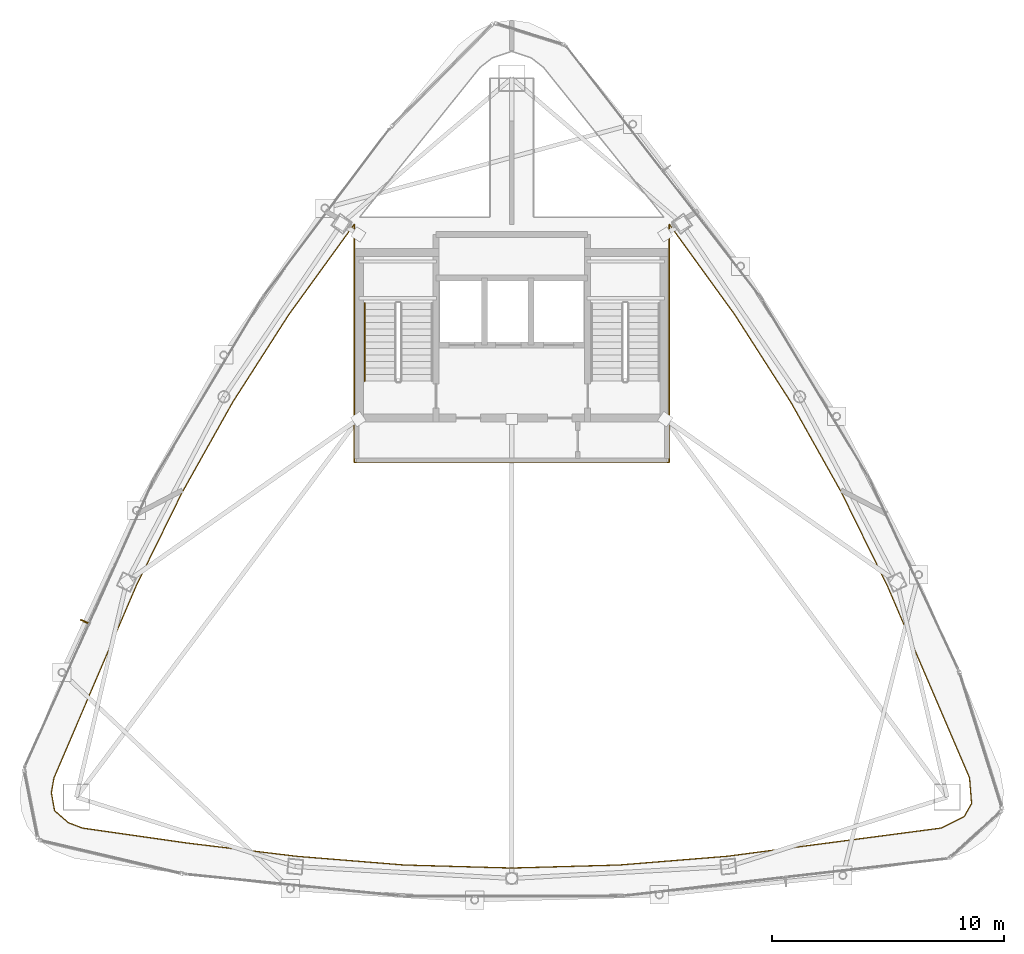
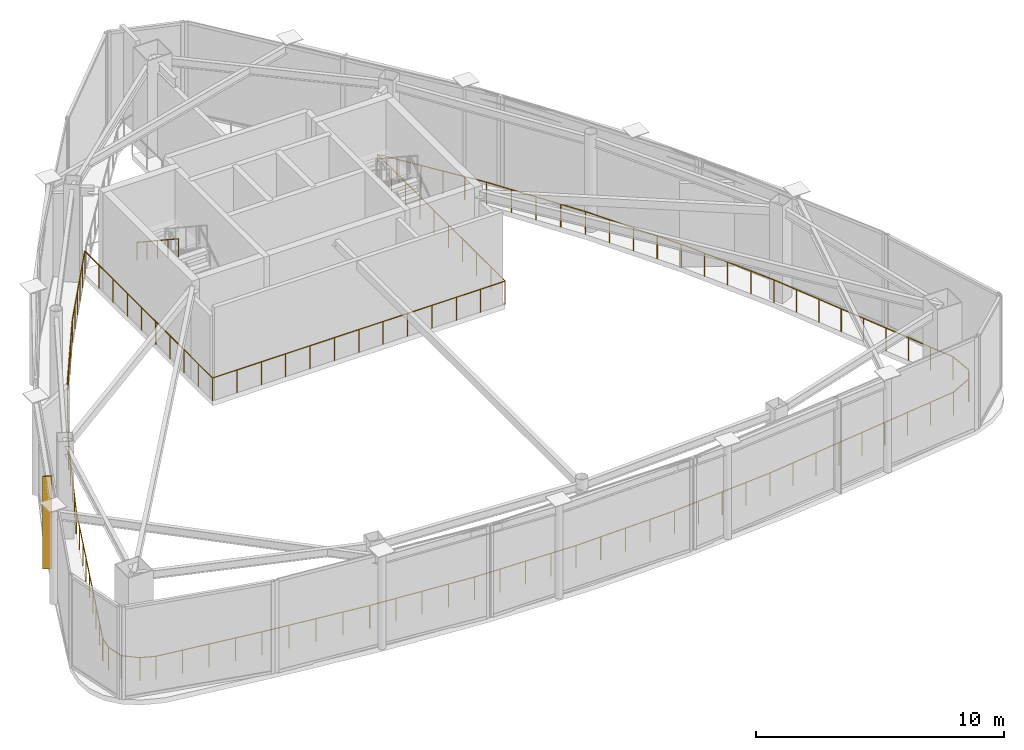
# One storey, part 18 of 20: 2 railings, 1 shading device.
"""IFC4 building model written with IfcOpenShell, lengths in metres."""

from ifc_helpers import new_model, si_unit, direction, frame, origin, origin_2d, place, context, subcontext, project, spatial, rectangle, circle, extrude, material, layer, layer_set, type_object, element, save


model = new_model("IFC4")

# Units and contexts
model_context = context("Model", 3, precision=1e-05, world=origin(), true_north=direction((0.0, 1.0)))
body_context = subcontext(model_context, "Body", "Model", "MODEL_VIEW")
ifc_project = project(units=[si_unit("LENGTHUNIT", "METRE"), si_unit("AREAUNIT", "SQUARE_METRE"), si_unit("VOLUMEUNIT", "CUBIC_METRE"), si_unit("PLANEANGLEUNIT", "RADIAN"), si_unit("MASSUNIT", "GRAM", prefix="KILO")], contexts=[model_context])

# Site, building, storey
site_placement = place(None, origin())
site = spatial("IfcSite", under=ifc_project, at=site_placement, CompositionType="ELEMENT")
building_placement = place(site_placement, origin())
building = spatial("IfcBuilding", under=site, at=building_placement, Name="Orvanel Arch Residences", CompositionType="ELEMENT")
storey_placement = place(building_placement, frame((0.0, 0.0, 300.5)))
storey = spatial("IfcBuildingStorey", under=building, at=storey_placement, Name="L84", CompositionType="ELEMENT", Elevation=300.5)

# Shading device
ifc_material_1 = material(Name="Bronze-anodised aluminium AA6063-T6", Category="aluminium")
ifc_layer = layer(ifc_material_1, 0.06005859375)
ifc_layer_set = layer_set([ifc_layer], Name="Bronze-anodised aluminium AA6063-T6")
shading_device_type = type_object("IfcShadingDeviceType", Name="FIN-BRZ-380", PredefinedType="USERDEFINED", material=ifc_layer_set)
shading_device_placement = place(storey_placement, frame((14.550048828125, 17.93603515625, 0.0), z_axis=(0.0, 0.0, 1.0), x_axis=(-0.912120116172, 0.409923033842, 0.0)))
element("IfcShadingDevice", 1, at=shading_device_placement, inside=storey, type_object=shading_device_type, Name="L84 Anodised Bronze Mullion FIN 01", ObjectType="FIN", PredefinedType="USERDEFINED", context=body_context, shape_type="SweptSolid", body=[
    extrude(rectangle(XDim=0.3798828125, YDim=0.06005859375, at=origin_2d()), origin(), (0.0, 0.0, 1.0), 4.550048828125),
])

# Railings
railing_type_1 = type_object("IfcRailingType", Name="RL-ATR-1150", PredefinedType="BALUSTRADE", material=ifc_material_1)
railing_1_placement = place(storey_placement, frame((42.626953125, 31.18310546875, 0.0)))
element("IfcRailing", 2, at=railing_1_placement, inside=storey, type_object=railing_type_1, Name="L84 Crown Conservatory Void 2 Balustrade", PredefinedType="BALUSTRADE", context=body_context, shape_type="SweptSolid", body=[
    extrude(circle(Radius=0.02392578125, at=origin_2d()), frame((0.000732421875, -0.001220703125, 1.1259765625), z_axis=(0.539449316925, -0.842018072531, 0.0), x_axis=(0.842018072531, 0.539449316925, 0.0)), (0.0, 0.0, 1.0), 4.479248046875),
    extrude(circle(Radius=0.02392578125, at=origin_2d()), frame((2.418701171875, -3.775390625, 1.1259765625), z_axis=(0.488877026727, -0.872352711201, 0.0), x_axis=(0.872352711201, 0.488877026727, 0.0)), (0.0, 0.0, 1.0), 4.47900390625),
    extrude(circle(Radius=0.02392578125, at=origin_2d()), frame((4.60986328125, -7.685546875, 1.1259765625), z_axis=(0.440900053408, -0.897556205986, 0.0), x_axis=(0.897556205986, 0.440900053408, 0.0)), (0.0, 0.0, 1.0), 4.506103515625),
    extrude(circle(Radius=0.02392578125, at=origin_2d()), frame((6.59765625, -11.732666015625, 1.1259765625), z_axis=(0.393624390708, -0.919271363113, 0.0), x_axis=(0.919271363113, 0.393624390708, 0.0)), (0.0, 0.0, 1.0), 8.98974609375),
    extrude(circle(Radius=0.02392578125, at=origin_2d()), frame((10.136962890625, -19.99951171875, 1.1259765625), z_axis=(0.078340921398, -0.996926627207, 0.0), x_axis=(0.996926627207, 0.078340921398, 0.0)), (0.0, 0.0, 1.0), 1.109619140625),
    extrude(circle(Radius=0.02392578125, at=origin_2d()), frame((10.223388671875, -21.1083984375, 1.1259765625), z_axis=(-0.492907253875, -0.870081857688, 0.0), x_axis=(0.870081857688, -0.492907253875, 0.0)), (0.0, 0.0, 1.0), 0.640380859375),
    extrude(circle(Radius=0.02392578125, at=origin_2d()), frame((9.90576171875, -21.667724609375, 1.1259765625), z_axis=(-0.89473528006, -0.446596886035, 0.0), x_axis=(0.446596886035, -0.89473528006, 0.0)), (0.0, 0.0, 1.0), 1.105712890625),
    extrude(circle(Radius=0.02392578125, at=origin_2d()), frame((8.91357421875, -22.162353515625, 1.1259765625), z_axis=(-0.99141795724, -0.130730386908, 0.0), x_axis=(0.130730386908, -0.99141795724, 0.0)), (0.0, 0.0, 1.0), 9.31396484375),
    extrude(circle(Radius=0.02392578125, at=origin_2d()), frame((-0.323486328125, -23.380126953125, 1.1259765625), z_axis=(-0.996741433639, -0.08066296837, 0.0), x_axis=(0.08066296837, -0.996741433639, 0.0)), (0.0, 0.0, 1.0), 4.670166015625),
    extrude(circle(Radius=0.02392578125, at=origin_2d()), frame((-4.9814453125, -23.757080078125, 1.1259765625), z_axis=(-0.999602259989, -0.028201450752, 0.0), x_axis=(0.028201450752, -0.999602259989, 0.0)), (0.0, 0.0, 1.0), 4.645751953125),
    extrude(circle(Radius=0.02392578125, at=origin_2d()), frame((-9.62841796875, -23.88818359375, 1.1259765625), z_axis=(-0.999602259989, 0.028201450752, 0.0), x_axis=(-0.028201450752, -0.999602259989, 0.0)), (0.0, 0.0, 1.0), 4.645751953125),
    extrude(circle(Radius=0.02392578125, at=origin_2d()), frame((-14.275390625, -23.757080078125, 1.1259765625), z_axis=(-0.996741433639, 0.08066296837, 0.0), x_axis=(-0.08066296837, -0.996741433639, 0.0)), (0.0, 0.0, 1.0), 4.670166015625),
    extrude(circle(Radius=0.02392578125, at=origin_2d()), frame((-18.933349609375, -23.3798828125, 1.1259765625), z_axis=(-0.992737718176, 0.120298889897, 0.0), x_axis=(-0.120298889897, -0.992737718176, 0.0)), (0.0, 0.0, 1.0), 4.71142578125),
    extrude(circle(Radius=0.02392578125, at=origin_2d()), frame((-23.613525390625, -22.812744140625, 1.1259765625), z_axis=(-0.989952675685, 0.141399080277, 0.0), x_axis=(-0.141399080277, -0.989952675685, 0.0)), (0.0, 0.0, 1.0), 4.60009765625),
    extrude(circle(Radius=0.02392578125, at=origin_2d()), frame((-28.17041015625, -22.16162109375, 1.1259765625), z_axis=(-0.933423126079, 0.358777462643, 0.0), x_axis=(-0.358777462643, -0.933423126079, 0.0)), (0.0, 0.0, 1.0), 0.646240234375),
    extrude(circle(Radius=0.02392578125, at=origin_2d()), frame((-28.776123046875, -21.92822265625, 1.1259765625), z_axis=(-0.753867638629, 0.657026318673, 0.0), x_axis=(-0.657026318673, -0.753867638629, 0.0)), (0.0, 0.0, 1.0), 0.781005859375),
    extrude(circle(Radius=0.02392578125, at=origin_2d()), frame((-29.3662109375, -21.41259765625, 1.1259765625), z_axis=(-0.175683017964, 0.984446787388, 0.0), x_axis=(-0.984446787388, -0.175683017964, 0.0)), (0.0, 0.0, 1.0), 0.7822265625),
    extrude(circle(Radius=0.02392578125, at=origin_2d()), frame((-29.503662109375, -20.6396484375, 1.1259765625), z_axis=(0.173124037048, 0.984900029341, 0.0), x_axis=(-0.984900029341, 0.173124037048, 0.0)), (0.0, 0.0, 1.0), 0.64990234375),
    extrude(circle(Radius=0.02392578125, at=origin_2d()), frame((-29.390380859375, -19.99658203125, 1.1259765625), z_axis=(0.393624390708, 0.919271363113, 0.0), x_axis=(-0.919271363113, 0.393624390708, 0.0)), (0.0, 0.0, 1.0), 8.98974609375),
    extrude(circle(Radius=0.02392578125, at=origin_2d()), frame((-25.850341796875, -11.729736328125, 1.1259765625), z_axis=(0.440900053408, 0.897556205986, 0.0), x_axis=(-0.897556205986, 0.440900053408, 0.0)), (0.0, 0.0, 1.0), 4.506103515625),
    extrude(circle(Radius=0.02392578125, at=origin_2d()), frame((-23.8623046875, -7.682861328125, 1.1259765625), z_axis=(0.488877026727, 0.872352711201, 0.0), x_axis=(-0.872352711201, 0.488877026727, 0.0)), (0.0, 0.0, 1.0), 4.47900390625),
    extrude(circle(Radius=0.02392578125, at=origin_2d()), frame((-21.671142578125, -3.77294921875, 1.1259765625), z_axis=(0.539449316925, 0.842018072531, 0.0), x_axis=(-0.842018072531, 0.539449316925, 0.0)), (0.0, 0.0, 1.0), 4.479248046875),
    extrude(circle(Radius=0.02392578125, at=origin_2d()), frame((-19.2529296875, 0.001220703125, 1.1259765625), z_axis=(0.58641472095, 0.810010972181, 0.0), x_axis=(-0.810010972181, 0.58641472095, 0.0)), (0.0, 0.0, 1.0), 4.817626953125),
    extrude(circle(Radius=0.02392578125, at=origin_2d()), frame((-16.427001953125, 3.9033203125, 1.1259765625), z_axis=(0.0, -1.0, 0.0), x_axis=(1.0, 0.0, 0.0)), (0.0, 0.0, 1.0), 10.284912109375),
    extrude(circle(Radius=0.02392578125, at=origin_2d()), frame((-16.425537109375, -6.383056640625, 1.1259765625), z_axis=(1.0, 0.0, 0.0), x_axis=(0.0, 1.0, 0.0)), (0.0, 0.0, 1.0), 13.59716796875),
    extrude(circle(Radius=0.02392578125, at=origin_2d()), frame((-2.826904296875, -6.381591796875, 1.1259765625), z_axis=(0.0, 1.0, 0.0), x_axis=(-1.0, 0.0, 0.0)), (0.0, 0.0, 1.0), 10.284912109375),
    extrude(circle(Radius=0.02392578125, at=origin_2d()), frame((-2.825927734375, 3.903564453125, 1.1259765625), z_axis=(0.58641472095, -0.810010972181, 0.0), x_axis=(0.810010972181, 0.58641472095, 0.0)), (0.0, 0.0, 1.0), 4.817626953125),
    extrude(circle(Radius=0.02099609375, at=origin_2d()), origin(), (0.0, 0.0, 1.0), 1.099853515625),
    extrude(circle(Radius=0.02099609375, at=origin_2d()), frame((0.6044921875, -0.943603515625, 0.0)), (0.0, 0.0, 1.0), 1.099853515625),
    extrude(circle(Radius=0.02099609375, at=origin_2d()), frame((1.208984375, -1.88720703125, 0.0)), (0.0, 0.0, 1.0), 1.099853515625),
    extrude(circle(Radius=0.02099609375, at=origin_2d()), frame((1.8134765625, -2.83056640625, 0.0)), (0.0, 0.0, 1.0), 1.099853515625),
    extrude(circle(Radius=0.02099609375, at=origin_2d()), frame((2.41796875, -3.774169921875, 0.0)), (0.0, 0.0, 1.0), 1.099853515625),
    extrude(circle(Radius=0.02099609375, at=origin_2d()), frame((2.9658203125, -4.751708984375, 0.0)), (0.0, 0.0, 1.0), 1.099853515625),
    extrude(circle(Radius=0.02099609375, at=origin_2d()), frame((3.513671875, -5.72900390625, 0.0)), (0.0, 0.0, 1.0), 1.099853515625),
    extrude(circle(Radius=0.02099609375, at=origin_2d()), frame((4.061279296875, -6.70654296875, 0.0)), (0.0, 0.0, 1.0), 1.099853515625),
    extrude(circle(Radius=0.02099609375, at=origin_2d()), frame((4.609130859375, -7.68408203125, 0.0)), (0.0, 0.0, 1.0), 1.099853515625),
    extrude(circle(Radius=0.02099609375, at=origin_2d()), frame((5.106201171875, -8.69580078125, 0.0)), (0.0, 0.0, 1.0), 1.099853515625),
    extrude(circle(Radius=0.02099609375, at=origin_2d()), frame((5.60302734375, -9.70751953125, 0.0)), (0.0, 0.0, 1.0), 1.099853515625),
    extrude(circle(Radius=0.02099609375, at=origin_2d()), frame((6.10009765625, -10.719482421875, 0.0)), (0.0, 0.0, 1.0), 1.099853515625),
    extrude(circle(Radius=0.02099609375, at=origin_2d()), frame((6.59716796875, -11.731201171875, 0.0)), (0.0, 0.0, 1.0), 1.099853515625),
    extrude(circle(Radius=0.02099609375, at=origin_2d()), frame((7.03955078125, -12.7646484375, 0.0)), (0.0, 0.0, 1.0), 1.099853515625),
    extrude(circle(Radius=0.02099609375, at=origin_2d()), frame((7.482177734375, -13.7978515625, 0.0)), (0.0, 0.0, 1.0), 1.099853515625),
    extrude(circle(Radius=0.02099609375, at=origin_2d()), frame((7.924560546875, -14.831298828125, 0.0)), (0.0, 0.0, 1.0), 1.099853515625),
    extrude(circle(Radius=0.02099609375, at=origin_2d()), frame((8.3671875, -15.86474609375, 0.0)), (0.0, 0.0, 1.0), 1.099853515625),
    extrude(circle(Radius=0.02099609375, at=origin_2d()), frame((8.8095703125, -16.89794921875, 0.0)), (0.0, 0.0, 1.0), 1.099853515625),
    extrude(circle(Radius=0.02099609375, at=origin_2d()), frame((9.251953125, -17.931396484375, 0.0)), (0.0, 0.0, 1.0), 1.099853515625),
    extrude(circle(Radius=0.02099609375, at=origin_2d()), frame((9.694580078125, -18.964599609375, 0.0)), (0.0, 0.0, 1.0), 1.099853515625),
    extrude(circle(Radius=0.02099609375, at=origin_2d()), frame((10.136962890625, -19.998046875, 0.0)), (0.0, 0.0, 1.0), 1.099853515625),
    extrude(circle(Radius=0.02099609375, at=origin_2d()), frame((10.22412109375, -21.107177734375, 0.0)), (0.0, 0.0, 1.0), 1.099853515625),
    extrude(circle(Radius=0.02099609375, at=origin_2d()), frame((9.906982421875, -21.6669921875, 0.0)), (0.0, 0.0, 1.0), 1.099853515625),
    extrude(circle(Radius=0.02099609375, at=origin_2d()), frame((8.9150390625, -22.162109375, 0.0)), (0.0, 0.0, 1.0), 1.099853515625),
    extrude(circle(Radius=0.02099609375, at=origin_2d()), frame((7.760498046875, -22.314453125, 0.0)), (0.0, 0.0, 1.0), 1.099853515625),
    extrude(circle(Radius=0.02099609375, at=origin_2d()), frame((6.605712890625, -22.466552734375, 0.0)), (0.0, 0.0, 1.0), 1.099853515625),
    extrude(circle(Radius=0.02099609375, at=origin_2d()), frame((5.451171875, -22.618896484375, 0.0)), (0.0, 0.0, 1.0), 1.099853515625),
    extrude(circle(Radius=0.02099609375, at=origin_2d()), frame((4.29638671875, -22.77099609375, 0.0)), (0.0, 0.0, 1.0), 1.099853515625),
    extrude(circle(Radius=0.02099609375, at=origin_2d()), frame((3.141845703125, -22.92333984375, 0.0)), (0.0, 0.0, 1.0), 1.099853515625),
    extrude(circle(Radius=0.02099609375, at=origin_2d()), frame((1.9873046875, -23.07568359375, 0.0)), (0.0, 0.0, 1.0), 1.099853515625),
    extrude(circle(Radius=0.02099609375, at=origin_2d()), frame((0.83251953125, -23.227783203125, 0.0)), (0.0, 0.0, 1.0), 1.099853515625),
    extrude(circle(Radius=0.02099609375, at=origin_2d()), frame((-0.322021484375, -23.380126953125, 0.0)), (0.0, 0.0, 1.0), 1.099853515625),
    extrude(circle(Radius=0.02099609375, at=origin_2d()), frame((-1.486572265625, -23.474365234375, 0.0)), (0.0, 0.0, 1.0), 1.099853515625),
    extrude(circle(Radius=0.02099609375, at=origin_2d()), frame((-2.65087890625, -23.568603515625, 0.0)), (0.0, 0.0, 1.0), 1.099853515625),
    extrude(circle(Radius=0.02099609375, at=origin_2d()), frame((-3.8154296875, -23.662841796875, 0.0)), (0.0, 0.0, 1.0), 1.099853515625),
    extrude(circle(Radius=0.02099609375, at=origin_2d()), frame((-4.97998046875, -23.757080078125, 0.0)), (0.0, 0.0, 1.0), 1.099853515625),
    extrude(circle(Radius=0.02099609375, at=origin_2d()), frame((-6.1416015625, -23.789794921875, 0.0)), (0.0, 0.0, 1.0), 1.099853515625),
    extrude(circle(Radius=0.02099609375, at=origin_2d()), frame((-7.303466796875, -23.82275390625, 0.0)), (0.0, 0.0, 1.0), 1.099853515625),
    extrude(circle(Radius=0.02099609375, at=origin_2d()), frame((-8.46533203125, -23.85546875, 0.0)), (0.0, 0.0, 1.0), 1.099853515625),
    extrude(circle(Radius=0.02099609375, at=origin_2d()), frame((-9.626953125, -23.88818359375, 0.0)), (0.0, 0.0, 1.0), 1.099853515625),
    extrude(circle(Radius=0.02099609375, at=origin_2d()), frame((-10.78857421875, -23.85546875, 0.0)), (0.0, 0.0, 1.0), 1.099853515625),
    extrude(circle(Radius=0.02099609375, at=origin_2d()), frame((-11.950439453125, -23.82275390625, 0.0)), (0.0, 0.0, 1.0), 1.099853515625),
    extrude(circle(Radius=0.02099609375, at=origin_2d()), frame((-13.1123046875, -23.789794921875, 0.0)), (0.0, 0.0, 1.0), 1.099853515625),
    extrude(circle(Radius=0.02099609375, at=origin_2d()), frame((-14.27392578125, -23.757080078125, 0.0)), (0.0, 0.0, 1.0), 1.099853515625),
    extrude(circle(Radius=0.02099609375, at=origin_2d()), frame((-15.4384765625, -23.662841796875, 0.0)), (0.0, 0.0, 1.0), 1.099853515625),
    extrude(circle(Radius=0.02099609375, at=origin_2d()), frame((-16.60302734375, -23.568603515625, 0.0)), (0.0, 0.0, 1.0), 1.099853515625),
    extrude(circle(Radius=0.02099609375, at=origin_2d()), frame((-17.767333984375, -23.474365234375, 0.0)), (0.0, 0.0, 1.0), 1.099853515625),
    extrude(circle(Radius=0.02099609375, at=origin_2d()), frame((-18.931884765625, -23.380126953125, 0.0)), (0.0, 0.0, 1.0), 1.099853515625),
    extrude(circle(Radius=0.02099609375, at=origin_2d()), frame((-20.10205078125, -23.23828125, 0.0)), (0.0, 0.0, 1.0), 1.099853515625),
    extrude(circle(Radius=0.02099609375, at=origin_2d()), frame((-21.27197265625, -23.0966796875, 0.0)), (0.0, 0.0, 1.0), 1.099853515625),
    extrude(circle(Radius=0.02099609375, at=origin_2d()), frame((-22.44189453125, -22.954833984375, 0.0)), (0.0, 0.0, 1.0), 1.099853515625),
    extrude(circle(Radius=0.02099609375, at=origin_2d()), frame((-23.612060546875, -22.81298828125, 0.0)), (0.0, 0.0, 1.0), 1.099853515625),
    extrude(circle(Radius=0.02099609375, at=origin_2d()), frame((-24.751220703125, -22.650390625, 0.0)), (0.0, 0.0, 1.0), 1.099853515625),
    extrude(circle(Radius=0.02099609375, at=origin_2d()), frame((-25.890625, -22.487548828125, 0.0)), (0.0, 0.0, 1.0), 1.099853515625),
    extrude(circle(Radius=0.02099609375, at=origin_2d()), frame((-27.02978515625, -22.32470703125, 0.0)), (0.0, 0.0, 1.0), 1.099853515625),
    extrude(circle(Radius=0.02099609375, at=origin_2d()), frame((-28.1689453125, -22.162109375, 0.0)), (0.0, 0.0, 1.0), 1.099853515625),
    extrude(circle(Radius=0.02099609375, at=origin_2d()), frame((-28.77490234375, -21.92919921875, 0.0)), (0.0, 0.0, 1.0), 1.099853515625),
    extrude(circle(Radius=0.02099609375, at=origin_2d()), frame((-29.365966796875, -21.4140625, 0.0)), (0.0, 0.0, 1.0), 1.099853515625),
    extrude(circle(Radius=0.02099609375, at=origin_2d()), frame((-29.50390625, -20.64111328125, 0.0)), (0.0, 0.0, 1.0), 1.099853515625),
    extrude(circle(Radius=0.02099609375, at=origin_2d()), frame((-29.390869140625, -19.998046875, 0.0)), (0.0, 0.0, 1.0), 1.099853515625),
    extrude(circle(Radius=0.02099609375, at=origin_2d()), frame((-28.948486328125, -18.964599609375, 0.0)), (0.0, 0.0, 1.0), 1.099853515625),
    extrude(circle(Radius=0.02099609375, at=origin_2d()), frame((-28.505859375, -17.931396484375, 0.0)), (0.0, 0.0, 1.0), 1.099853515625),
    extrude(circle(Radius=0.02099609375, at=origin_2d()), frame((-28.0634765625, -16.89794921875, 0.0)), (0.0, 0.0, 1.0), 1.099853515625),
    extrude(circle(Radius=0.02099609375, at=origin_2d()), frame((-27.62109375, -15.86474609375, 0.0)), (0.0, 0.0, 1.0), 1.099853515625),
    extrude(circle(Radius=0.02099609375, at=origin_2d()), frame((-27.178466796875, -14.831298828125, 0.0)), (0.0, 0.0, 1.0), 1.099853515625),
    extrude(circle(Radius=0.02099609375, at=origin_2d()), frame((-26.736083984375, -13.7978515625, 0.0)), (0.0, 0.0, 1.0), 1.099853515625),
    extrude(circle(Radius=0.02099609375, at=origin_2d()), frame((-26.29345703125, -12.7646484375, 0.0)), (0.0, 0.0, 1.0), 1.099853515625),
    extrude(circle(Radius=0.02099609375, at=origin_2d()), frame((-25.85107421875, -11.731201171875, 0.0)), (0.0, 0.0, 1.0), 1.099853515625),
    extrude(circle(Radius=0.02099609375, at=origin_2d()), frame((-25.35400390625, -10.719482421875, 0.0)), (0.0, 0.0, 1.0), 1.099853515625),
    extrude(circle(Radius=0.02099609375, at=origin_2d()), frame((-24.85693359375, -9.70751953125, 0.0)), (0.0, 0.0, 1.0), 1.099853515625),
    extrude(circle(Radius=0.02099609375, at=origin_2d()), frame((-24.360107421875, -8.69580078125, 0.0)), (0.0, 0.0, 1.0), 1.099853515625),
    extrude(circle(Radius=0.02099609375, at=origin_2d()), frame((-23.863037109375, -7.68408203125, 0.0)), (0.0, 0.0, 1.0), 1.099853515625),
    extrude(circle(Radius=0.02099609375, at=origin_2d()), frame((-23.315185546875, -6.70654296875, 0.0)), (0.0, 0.0, 1.0), 1.099853515625),
    extrude(circle(Radius=0.02099609375, at=origin_2d()), frame((-22.767578125, -5.72900390625, 0.0)), (0.0, 0.0, 1.0), 1.099853515625),
    extrude(circle(Radius=0.02099609375, at=origin_2d()), frame((-22.2197265625, -4.751708984375, 0.0)), (0.0, 0.0, 1.0), 1.099853515625),
    extrude(circle(Radius=0.02099609375, at=origin_2d()), frame((-21.671875, -3.774169921875, 0.0)), (0.0, 0.0, 1.0), 1.099853515625),
    extrude(circle(Radius=0.02099609375, at=origin_2d()), frame((-21.0673828125, -2.83056640625, 0.0)), (0.0, 0.0, 1.0), 1.099853515625),
    extrude(circle(Radius=0.02099609375, at=origin_2d()), frame((-20.462890625, -1.88720703125, 0.0)), (0.0, 0.0, 1.0), 1.099853515625),
    extrude(circle(Radius=0.02099609375, at=origin_2d()), frame((-19.8583984375, -0.943603515625, 0.0)), (0.0, 0.0, 1.0), 1.099853515625),
    extrude(circle(Radius=0.02099609375, at=origin_2d()), frame((-19.25390625, 0.0, 0.0)), (0.0, 0.0, 1.0), 1.099853515625),
    extrude(circle(Radius=0.02099609375, at=origin_2d()), frame((-18.6884765625, 0.781005859375, 0.0)), (0.0, 0.0, 1.0), 1.099853515625),
    extrude(circle(Radius=0.02099609375, at=origin_2d()), frame((-18.123046875, 1.56201171875, 0.0)), (0.0, 0.0, 1.0), 1.099853515625),
    extrude(circle(Radius=0.02099609375, at=origin_2d()), frame((-17.557861328125, 2.3427734375, 0.0)), (0.0, 0.0, 1.0), 1.099853515625),
    extrude(circle(Radius=0.02099609375, at=origin_2d()), frame((-16.992431640625, 3.123779296875, 0.0)), (0.0, 0.0, 1.0), 1.099853515625),
    extrude(circle(Radius=0.02099609375, at=origin_2d()), frame((-16.427001953125, 3.90478515625, 0.0)), (0.0, 0.0, 1.0), 1.099853515625),
    extrude(circle(Radius=0.02099609375, at=origin_2d()), frame((-16.427001953125, 2.76171875, 0.0)), (0.0, 0.0, 1.0), 1.099853515625),
    extrude(circle(Radius=0.02099609375, at=origin_2d()), frame((-16.427001953125, 1.61865234375, 0.0)), (0.0, 0.0, 1.0), 1.099853515625),
    extrude(circle(Radius=0.02099609375, at=origin_2d()), frame((-16.427001953125, 0.4755859375, 0.0)), (0.0, 0.0, 1.0), 1.099853515625),
    extrude(circle(Radius=0.02099609375, at=origin_2d()), frame((-16.427001953125, -0.66748046875, 0.0)), (0.0, 0.0, 1.0), 1.099853515625),
    extrude(circle(Radius=0.02099609375, at=origin_2d()), frame((-16.427001953125, -1.810791015625, 0.0)), (0.0, 0.0, 1.0), 1.099853515625),
    extrude(circle(Radius=0.02099609375, at=origin_2d()), frame((-16.427001953125, -2.953857421875, 0.0)), (0.0, 0.0, 1.0), 1.099853515625),
    extrude(circle(Radius=0.02099609375, at=origin_2d()), frame((-16.427001953125, -4.096923828125, 0.0)), (0.0, 0.0, 1.0), 1.099853515625),
    extrude(circle(Radius=0.02099609375, at=origin_2d()), frame((-16.427001953125, -5.239990234375, 0.0)), (0.0, 0.0, 1.0), 1.099853515625),
    extrude(circle(Radius=0.02099609375, at=origin_2d()), frame((-16.427001953125, -6.383056640625, 0.0)), (0.0, 0.0, 1.0), 1.099853515625),
    extrude(circle(Radius=0.02099609375, at=origin_2d()), frame((-15.293701171875, -6.383056640625, 0.0)), (0.0, 0.0, 1.0), 1.099853515625),
    extrude(circle(Radius=0.02099609375, at=origin_2d()), frame((-14.160400390625, -6.383056640625, 0.0)), (0.0, 0.0, 1.0), 1.099853515625),
    extrude(circle(Radius=0.02099609375, at=origin_2d()), frame((-13.02685546875, -6.383056640625, 0.0)), (0.0, 0.0, 1.0), 1.099853515625),
    extrude(circle(Radius=0.02099609375, at=origin_2d()), frame((-11.8935546875, -6.383056640625, 0.0)), (0.0, 0.0, 1.0), 1.099853515625),
    extrude(circle(Radius=0.02099609375, at=origin_2d()), frame((-10.76025390625, -6.383056640625, 0.0)), (0.0, 0.0, 1.0), 1.099853515625),
    extrude(circle(Radius=0.02099609375, at=origin_2d()), frame((-9.626953125, -6.383056640625, 0.0)), (0.0, 0.0, 1.0), 1.099853515625),
    extrude(circle(Radius=0.02099609375, at=origin_2d()), frame((-8.49365234375, -6.383056640625, 0.0)), (0.0, 0.0, 1.0), 1.099853515625),
    extrude(circle(Radius=0.02099609375, at=origin_2d()), frame((-7.3603515625, -6.383056640625, 0.0)), (0.0, 0.0, 1.0), 1.099853515625),
    extrude(circle(Radius=0.02099609375, at=origin_2d()), frame((-6.22705078125, -6.383056640625, 0.0)), (0.0, 0.0, 1.0), 1.099853515625),
    extrude(circle(Radius=0.02099609375, at=origin_2d()), frame((-5.093505859375, -6.383056640625, 0.0)), (0.0, 0.0, 1.0), 1.099853515625),
    extrude(circle(Radius=0.02099609375, at=origin_2d()), frame((-3.960205078125, -6.383056640625, 0.0)), (0.0, 0.0, 1.0), 1.099853515625),
    extrude(circle(Radius=0.02099609375, at=origin_2d()), frame((-2.826904296875, -6.383056640625, 0.0)), (0.0, 0.0, 1.0), 1.099853515625),
    extrude(circle(Radius=0.02099609375, at=origin_2d()), frame((-2.826904296875, -5.239990234375, 0.0)), (0.0, 0.0, 1.0), 1.099853515625),
    extrude(circle(Radius=0.02099609375, at=origin_2d()), frame((-2.826904296875, -4.096923828125, 0.0)), (0.0, 0.0, 1.0), 1.099853515625),
    extrude(circle(Radius=0.02099609375, at=origin_2d()), frame((-2.826904296875, -2.953857421875, 0.0)), (0.0, 0.0, 1.0), 1.099853515625),
    extrude(circle(Radius=0.02099609375, at=origin_2d()), frame((-2.826904296875, -1.810791015625, 0.0)), (0.0, 0.0, 1.0), 1.099853515625),
    extrude(circle(Radius=0.02099609375, at=origin_2d()), frame((-2.826904296875, -0.66748046875, 0.0)), (0.0, 0.0, 1.0), 1.099853515625),
    extrude(circle(Radius=0.02099609375, at=origin_2d()), frame((-2.826904296875, 0.4755859375, 0.0)), (0.0, 0.0, 1.0), 1.099853515625),
    extrude(circle(Radius=0.02099609375, at=origin_2d()), frame((-2.826904296875, 1.61865234375, 0.0)), (0.0, 0.0, 1.0), 1.099853515625),
    extrude(circle(Radius=0.02099609375, at=origin_2d()), frame((-2.826904296875, 2.76171875, 0.0)), (0.0, 0.0, 1.0), 1.099853515625),
    extrude(circle(Radius=0.02099609375, at=origin_2d()), frame((-2.826904296875, 3.90478515625, 0.0)), (0.0, 0.0, 1.0), 1.099853515625),
    extrude(circle(Radius=0.02099609375, at=origin_2d()), frame((-2.261474609375, 3.123779296875, 0.0)), (0.0, 0.0, 1.0), 1.099853515625),
    extrude(circle(Radius=0.02099609375, at=origin_2d()), frame((-1.696044921875, 2.3427734375, 0.0)), (0.0, 0.0, 1.0), 1.099853515625),
    extrude(circle(Radius=0.02099609375, at=origin_2d()), frame((-1.130859375, 1.56201171875, 0.0)), (0.0, 0.0, 1.0), 1.099853515625),
    extrude(circle(Radius=0.02099609375, at=origin_2d()), frame((-0.5654296875, 0.781005859375, 0.0)), (0.0, 0.0, 1.0), 1.099853515625),
])
ifc_material_2 = material(Name="Structural steel AS/NZS 1163 C350L0 (Grade 350)", Category="steel")
railing_type_2 = type_object("IfcRailingType", Name="RL-STAIR-HAND", PredefinedType="HANDRAIL", material=ifc_material_2)
railing_2_placement = place(storey_placement, frame((26.64990234375, 31.679931640625, 2.584716796875)))
element("IfcRailing", 3, at=railing_2_placement, inside=storey, type_object=railing_type_2, Name="L84 ST-1 stair handrail 2", PredefinedType="HANDRAIL", context=body_context, shape_type="SweptSolid", body=[
    extrude(circle(Radius=0.02392578125, at=origin_2d()), frame((0.0, -0.001220703125, 0.876708984375), z_axis=(0.0, -0.834858096282, 0.550465220583), x_axis=(1.0, 0.0, 0.0)), (0.0, 0.0, 1.0), 4.021484375),
    extrude(circle(Radius=0.02099609375, at=origin_2d()), origin(), (0.0, 0.0, 1.0), 0.849853515625),
    extrude(circle(Radius=0.02099609375, at=origin_2d()), frame((0.0, -0.83984375, 0.5537109375)), (0.0, 0.0, 1.0), 0.849853515625),
    extrude(circle(Radius=0.02099609375, at=origin_2d()), frame((0.0, -1.679931640625, 1.107666015625)), (0.0, 0.0, 1.0), 0.849853515625),
    extrude(circle(Radius=0.02099609375, at=origin_2d()), frame((0.0, -2.52001953125, 1.66162109375)), (0.0, 0.0, 1.0), 0.849853515625),
    extrude(circle(Radius=0.02099609375, at=origin_2d()), frame((0.0, -3.35986328125, 2.21533203125)), (0.0, 0.0, 1.0), 0.849853515625),
])

save(model, "model.ifc")
